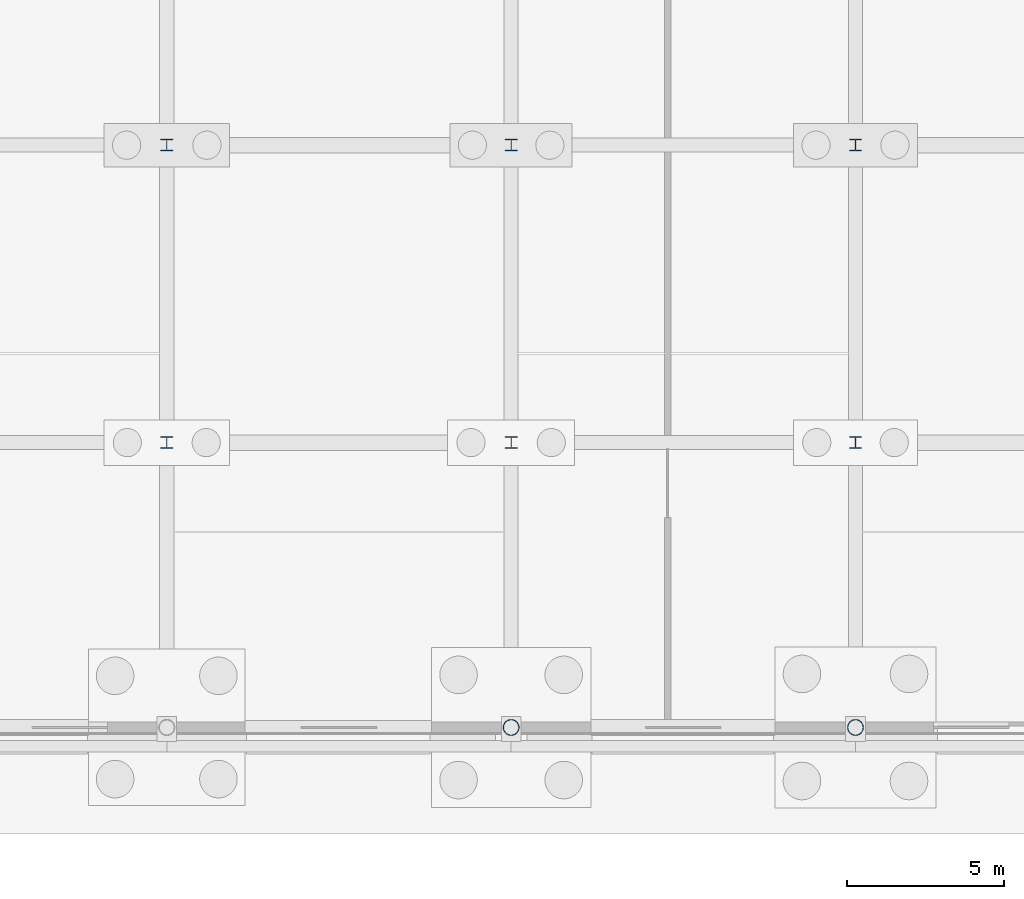
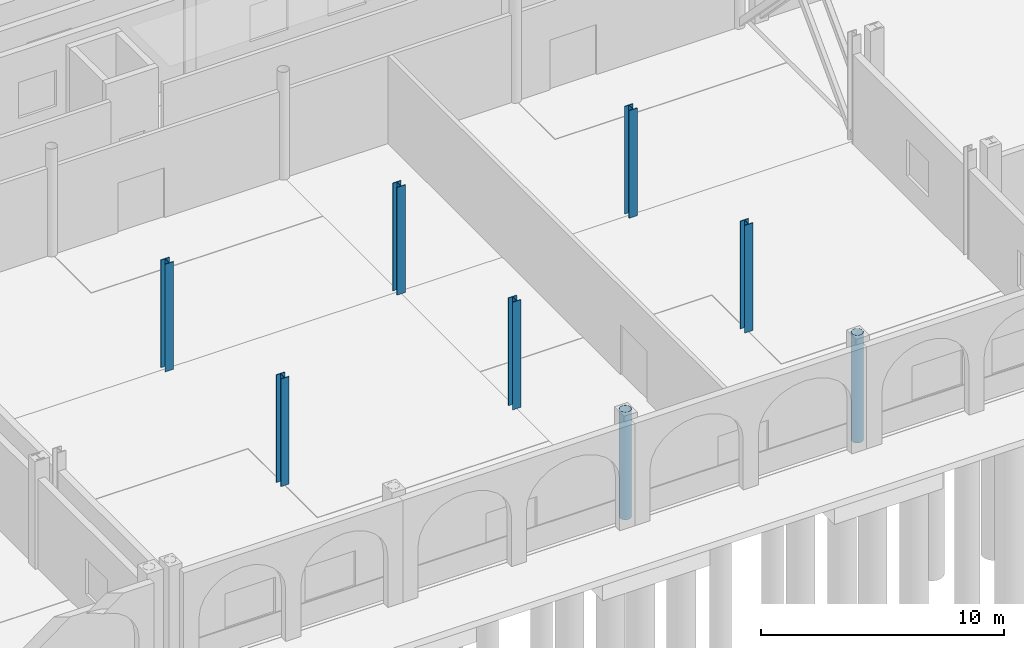
# One storey, part 18 of 83: 8 columns.
"""IFC4 building model written with IfcOpenShell, lengths in metres."""

from ifc_helpers import new_model, si_unit, direction, frame, origin, origin_2d, place, context, subcontext, project, spatial, hollow_circle, i_section, extrude, material, material_profile, profile_set, type_object, element, save


model = new_model("IFC4")

# Units and contexts
model_context = context("Model", 3, precision=1e-05, world=origin(), true_north=direction((0.0, 1.0)))
body_context = subcontext(model_context, "Body", "Model", "MODEL_VIEW")
ifc_project = project(units=[si_unit("LENGTHUNIT", "METRE"), si_unit("AREAUNIT", "SQUARE_METRE"), si_unit("VOLUMEUNIT", "CUBIC_METRE"), si_unit("PLANEANGLEUNIT", "RADIAN"), si_unit("MASSUNIT", "GRAM", prefix="KILO")], contexts=[model_context])

# Site, building, storey
site_placement = place(None, origin())
site = spatial("IfcSite", under=ifc_project, at=site_placement, CompositionType="ELEMENT")
building_placement = place(site_placement, origin())
building = spatial("IfcBuilding", under=site, at=building_placement, Name="Caurita Quay Ferry Terminal", CompositionType="ELEMENT")
storey_placement = place(building_placement, origin())
storey = spatial("IfcBuildingStorey", under=building, at=storey_placement, Name="L00", CompositionType="ELEMENT", Elevation=0.0)

# Columns
ifc_material_1 = material(Name="Hollow structural steel ASTM A500 Gr. C", Category="steel")
ifc_material_profile_1 = material_profile(ifc_material_1, hollow_circle(Radius=0.25390625, WallThickness=0.01171875, at=origin_2d()), Name="HSS20.000X0.500")
ifc_profile_set_1 = profile_set([ifc_material_profile_1], Name="Hollow structural steel ASTM A500 Gr. C")
column_type_1 = type_object("IfcColumnType", Name="COL-MST-01", PredefinedType="COLUMN", material=ifc_profile_set_1)
for number, where, z_axis, x_axis, name in (
    (1, (110.199951171875, 34.60009765625, 0.0), (0.0, 0.0, 1.0), (1.0, 0.0, 0.0), "L00 Column V2-MST-12-S"),
    (2, (121.199951171875, 34.60009765625, 0.0), (0.0, 0.0, 1.0), (1.0, 0.0, 0.0), "L00 Column V2-MST-13-S"),
):
    element("IfcColumn", number, at=place(storey_placement, frame(where, z_axis=z_axis, x_axis=x_axis)), inside=storey, type_object=column_type_1, Name=name, PredefinedType="COLUMN", context=body_context, shape_type="SweptSolid", body=[
        extrude(hollow_circle(Radius=0.25390625, WallThickness=0.01171875, at=origin_2d()), origin(), (0.0, 0.0, 1.0), 5.39990234375),
    ])
ifc_material_2 = material(Name="Structural steel ASTM A992 Gr. 50", Category="steel")
ifc_material_profile_2 = material_profile(ifc_material_2, i_section(OverallWidth=0.39599609375, OverallDepth=0.381103515625, WebThickness=0.018798828125, FlangeThickness=0.0302734375, at=origin_2d()), Name="W14X159")
ifc_profile_set_2 = profile_set([ifc_material_profile_2], Name="Structural steel ASTM A992 Gr. 50")
column_type_2 = type_object("IfcColumnType", Name="COL-STL-05", PredefinedType="COLUMN", material=ifc_profile_set_2)
for number, where, z_axis, x_axis, name in (
    (3, (99.199951171875, 43.699951171875, 0.0), (0.0, 0.0, 1.0), (1.0, 0.0, 0.0), "L00 Column V2-SUB-11-G"),
    (4, (99.199951171875, 53.199951171875, 0.0), (0.0, 0.0, 1.0), (1.0, 0.0, 0.0), "L00 Column V2-SUB-11-H"),
    (5, (110.199951171875, 43.699951171875, 0.0), (0.0, 0.0, 1.0), (1.0, 0.0, 0.0), "L00 Column V2-SUB-12-G"),
    (6, (110.199951171875, 53.199951171875, 0.0), (0.0, 0.0, 1.0), (1.0, 0.0, 0.0), "L00 Column V2-SUB-12-H"),
    (7, (121.199951171875, 43.699951171875, 0.0), (0.0, 0.0, 1.0), (1.0, 0.0, 0.0), "L00 Column V2-SUB-13-G"),
    (8, (121.199951171875, 53.199951171875, 0.0), (0.0, 0.0, 1.0), (1.0, 0.0, 0.0), "L00 Column V2-SUB-13-H"),
):
    element("IfcColumn", number, at=place(storey_placement, frame(where, z_axis=z_axis, x_axis=x_axis)), inside=storey, type_object=column_type_2, Name=name, PredefinedType="COLUMN", context=body_context, shape_type="SweptSolid", body=[
        extrude(i_section(OverallWidth=0.39599609375, OverallDepth=0.381103515625, WebThickness=0.018798828125, FlangeThickness=0.0302734375, at=origin_2d()), origin(), (0.0, 0.0, 1.0), 5.39990234375),
    ])

save(model, "model.ifc")
